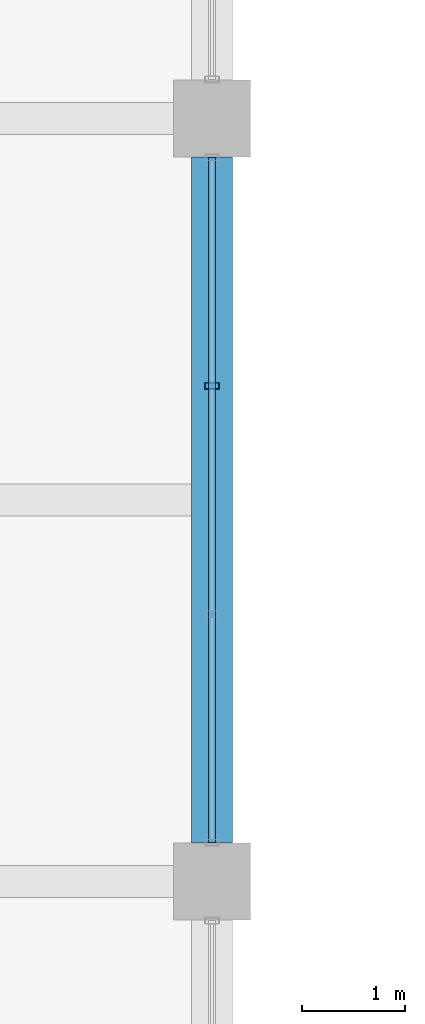
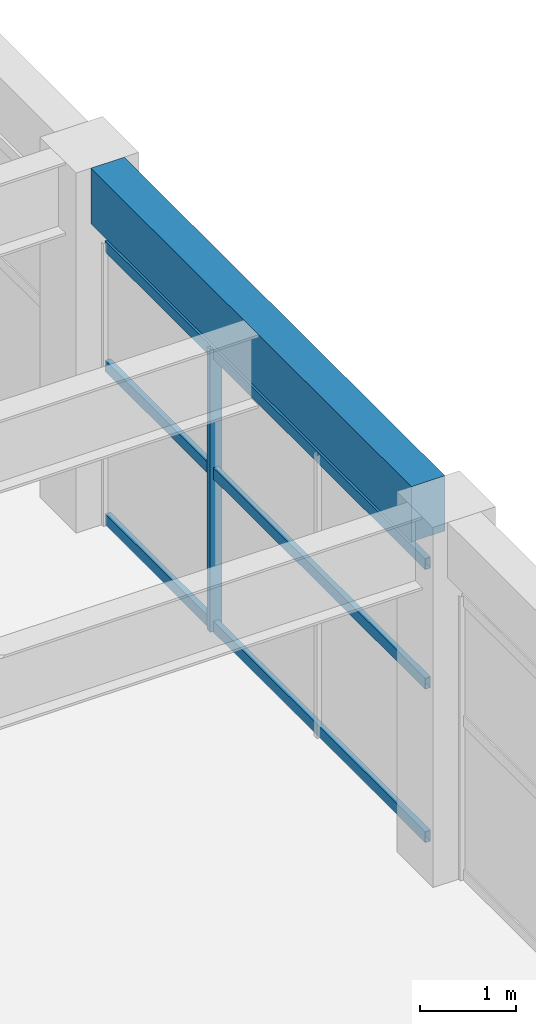
# One storey, part 97 of 161: 4 members, 1 beam, 1 element without a shape of its own.
"""IFC4 building model written with IfcOpenShell, lengths in metres."""

from ifc_helpers import new_model, si_unit, direction, frame, origin, origin_2d, place, context, subcontext, project, spatial, rectangle, hollow_rectangle, extrude, material, material_profile, profile_set, type_object, element, aggregate, save


model = new_model("IFC4")

# Units and contexts
model_context = context("Model", 3, precision=1e-05, world=origin(), true_north=direction((0.0, 1.0)))
body_context = subcontext(model_context, "Body", "Model", "MODEL_VIEW")
ifc_project = project(units=[si_unit("LENGTHUNIT", "METRE"), si_unit("AREAUNIT", "SQUARE_METRE"), si_unit("VOLUMEUNIT", "CUBIC_METRE"), si_unit("PLANEANGLEUNIT", "RADIAN"), si_unit("MASSUNIT", "GRAM", prefix="KILO")], contexts=[model_context])

# Site, building, storey
site_placement = place(None, origin())
site = spatial("IfcSite", under=ifc_project, at=site_placement, CompositionType="ELEMENT")
building_placement = place(site_placement, origin())
building = spatial("IfcBuilding", under=site, at=building_placement, Name="Cimatlan Art Gallery", CompositionType="ELEMENT")
storey_placement = place(building_placement, frame((0.0, 0.0, 5.39990234375)))
storey = spatial("IfcBuildingStorey", under=building, at=storey_placement, Name="L01", CompositionType="ELEMENT", Elevation=5.39990234375)

# Beam
ifc_material_1 = material(Name="Concrete C40/50", Category="concrete")
ifc_material_profile_1 = material_profile(ifc_material_1, rectangle(XDim=0.39990234375, YDim=0.699951171875, at=origin_2d()), Name="RC400X700")
ifc_profile_set_1 = profile_set([ifc_material_profile_1], Name="Concrete C40/50")
beam_type = type_object("IfcBeamType", Name="BM-RC-400X700", PredefinedType="BEAM", material=ifc_profile_set_1)
beam_placement = place(storey_placement, frame((99.199951171875, 90.875, 4.210205078125), z_axis=(0.0, 1.0, 0.0), x_axis=(-1.0, 0.0, 0.0)))
element("IfcBeam", 1, at=beam_placement, inside=storey, type_object=beam_type, Name="BM-Y-L01-12-12", PredefinedType="BEAM", context=body_context, shape_type="SweptSolid", body=[
    extrude(rectangle(XDim=0.39990234375, YDim=0.699951171875, at=origin_2d()), origin(), (0.0, 0.0, 1.0), 6.64990234375),
])

# Curtain wall, members
ifc_material_2 = material(Name="Anodised bronze unitised curtain wall")
curtain_wall_type = type_object("IfcCurtainWallType", Name="CW-V-06642X03577-B3", PredefinedType="NOTDEFINED", material=ifc_material_2)
curtain_wall_placement = place(storey_placement, origin())
curtain_wall = element("IfcCurtainWall", 2, at=curtain_wall_placement, inside=storey, type_object=curtain_wall_type, Name="CW-L01-11-12-E", PredefinedType="NOTDEFINED")
ifc_material_3 = material(Name="Anodised bronze aluminium 6063-T6", Category="aluminium")
ifc_material_profile_2 = material_profile(ifc_material_3, hollow_rectangle(XDim=0.06494140625, YDim=0.139892578125, WallThickness=0.00390625, at=origin_2d()), Name="ALU65X140X4")
ifc_profile_set_2 = profile_set([ifc_material_profile_2], Name="Anodised bronze aluminium 6063-T6")
member_type_1 = type_object("IfcMemberType", Name="CW-MUL-140", PredefinedType="MULLION", material=ifc_profile_set_2)
member_1_placement = place(storey_placement, frame((99.199951171875, 95.306884765625, 0.0), z_axis=(0.0, 0.0, 1.0), x_axis=(0.0, 1.0, 0.0)))
member_1 = element("IfcMember", 3, at=member_1_placement, type_object=member_type_1, Name="CW-L01-11-12-E-M2", PredefinedType="MULLION", context=body_context, shape_type="SweptSolid", body=[
    extrude(hollow_rectangle(XDim=0.06494140625, YDim=0.139892578125, WallThickness=0.00390625, at=origin_2d()), origin(), (0.0, 0.0, 1.0), 3.5771484375),
])
ifc_material_profile_3 = material_profile(ifc_material_3, hollow_rectangle(XDim=0.06494140625, YDim=0.139892578125, WallThickness=0.00390625, at=origin_2d()), Name="ALU65X140X4")
ifc_profile_set_3 = profile_set([ifc_material_profile_3], Name="Anodised bronze aluminium 6063-T6")
member_type_2 = type_object("IfcMemberType", Name="CW-TRN-140", PredefinedType="USERDEFINED", material=ifc_profile_set_3)
member_2_placement = place(storey_placement, frame((99.199951171875, 97.52099609375, 0.06005859375), z_axis=(0.0, -1.0, 0.0), x_axis=(1.0, 0.0, 0.0)))
member_2 = element("IfcMember", 4, at=member_2_placement, type_object=member_type_2, Name="CW-L01-11-12-E-T1", ObjectType="TRANSOM", PredefinedType="USERDEFINED", context=body_context, shape_type="SweptSolid", body=[
    extrude(hollow_rectangle(XDim=0.06494140625, YDim=0.139892578125, WallThickness=0.00390625, at=origin_2d()), origin(), (0.0, 0.0, 1.0), 6.64208984375),
])
member_3_placement = place(storey_placement, frame((99.199951171875, 97.52099609375, 2.003173828125), z_axis=(0.0, -1.0, 0.0), x_axis=(1.0, 0.0, 0.0)))
member_3 = element("IfcMember", 5, at=member_3_placement, type_object=member_type_2, Name="CW-L01-11-12-E-T2", ObjectType="TRANSOM", PredefinedType="USERDEFINED", context=body_context, shape_type="SweptSolid", body=[
    extrude(hollow_rectangle(XDim=0.06494140625, YDim=0.139892578125, WallThickness=0.00390625, at=origin_2d()), origin(), (0.0, 0.0, 1.0), 6.64208984375),
])
member_4_placement = place(storey_placement, frame((99.199951171875, 97.52099609375, 3.51708984375), z_axis=(0.0, -1.0, 0.0), x_axis=(1.0, 0.0, 0.0)))
member_4 = element("IfcMember", 6, at=member_4_placement, type_object=member_type_2, Name="CW-L01-11-12-E-T3", ObjectType="TRANSOM", PredefinedType="USERDEFINED", context=body_context, shape_type="SweptSolid", body=[
    extrude(hollow_rectangle(XDim=0.06494140625, YDim=0.139892578125, WallThickness=0.00390625, at=origin_2d()), origin(), (0.0, 0.0, 1.0), 6.64208984375),
])
aggregate(curtain_wall, [member_1, member_2, member_3, member_4])

save(model, "model.ifc")
